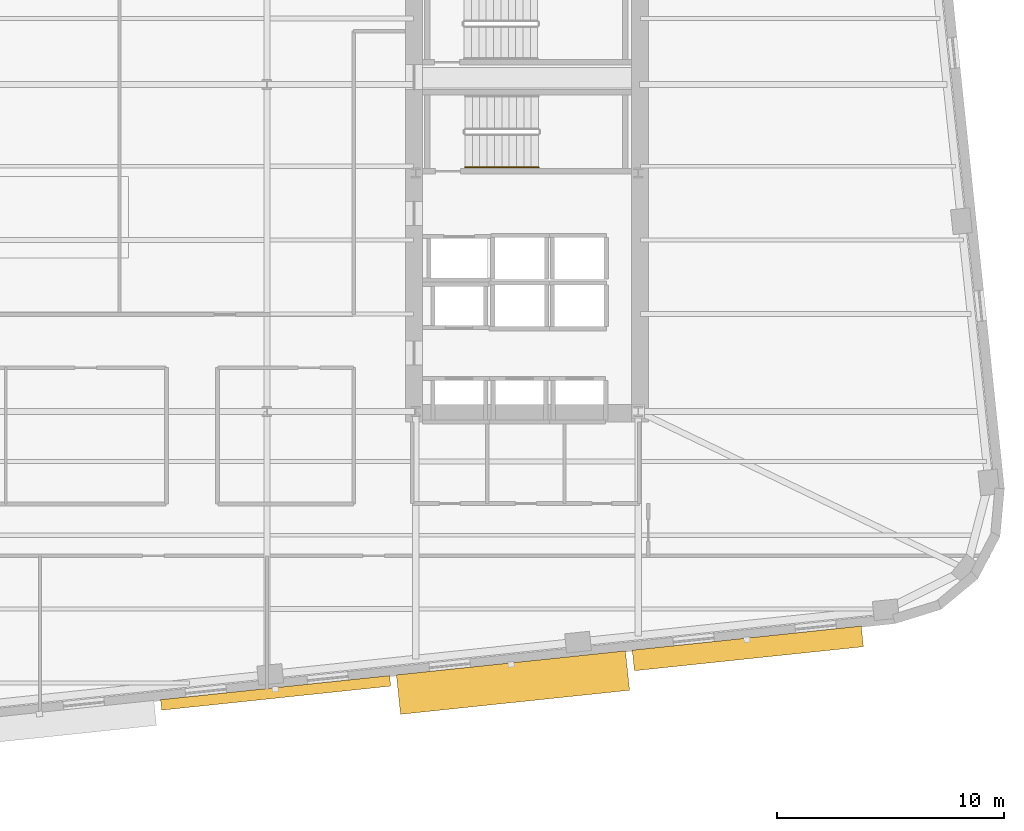
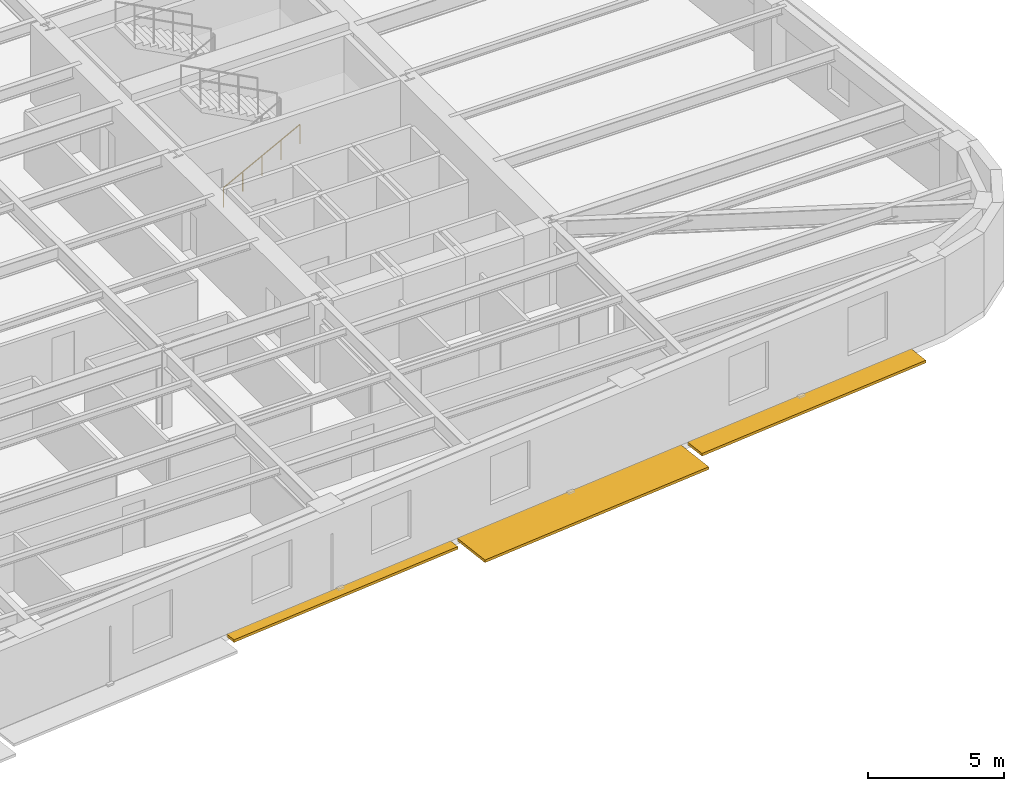
# One storey, part 9 of 12: 3 shading devices, 1 railing.
"""IFC4 building model written with IfcOpenShell, lengths in metres."""

from ifc_helpers import new_model, si_unit, direction, frame, origin, origin_2d, place, context, subcontext, project, spatial, rectangle, circle, extrude, material, type_object, element, save


model = new_model("IFC4")

# Units and contexts
model_context = context("Model", 3, precision=1e-05, world=origin(), true_north=direction((0.0, 1.0)))
body_context = subcontext(model_context, "Body", "Model", "MODEL_VIEW")
ifc_project = project(units=[si_unit("LENGTHUNIT", "METRE"), si_unit("AREAUNIT", "SQUARE_METRE"), si_unit("VOLUMEUNIT", "CUBIC_METRE"), si_unit("PLANEANGLEUNIT", "RADIAN"), si_unit("MASSUNIT", "GRAM", prefix="KILO")], contexts=[model_context])

# Site, building, storey
site_placement = place(None, origin())
site = spatial("IfcSite", under=ifc_project, at=site_placement, CompositionType="ELEMENT")
building_placement = place(site_placement, origin())
building = spatial("IfcBuilding", under=site, at=building_placement, Name="Kolvaren Arena Tower", CompositionType="ELEMENT")
storey_placement = place(building_placement, frame((0.0, 0.0, 110.949951171875)))
storey = spatial("IfcBuildingStorey", under=building, at=storey_placement, Name="L25", CompositionType="ELEMENT", Elevation=110.949951171875)

# Railing
ifc_material_1 = material(Name="Brushed stainless steel handrail", Category="steel")
railing_type = type_object("IfcRailingType", Name="HRAIL-900", PredefinedType="HANDRAIL", material=ifc_material_1)
railing_placement = place(storey_placement, frame((52.719970703125, 30.199951171875, 0.17041015625)))
element("IfcRailing", 1, at=railing_placement, inside=storey, type_object=railing_type, Name="L25 ST-E1 stair handrail 1", PredefinedType="HANDRAIL", context=body_context, shape_type="SweptSolid", body=[
    extrude(circle(Radius=0.02392578125, at=origin_2d()), frame((0.0, 0.0, 0.8759765625), z_axis=(0.884993431791, 0.0, 0.465603506952), x_axis=(0.0, 1.0, 0.0)), (0.0, 0.0, 1.0), 3.6611328125),
    extrude(circle(Radius=0.02099609375, at=origin_2d()), origin(), (0.0, 0.0, 1.0), 0.851806640625),
    extrude(circle(Radius=0.02099609375, at=origin_2d()), frame((0.81005859375, 0.0, 0.42626953125)), (0.0, 0.0, 1.0), 0.851806640625),
    extrude(circle(Radius=0.02099609375, at=origin_2d()), frame((1.6201171875, 0.0, 0.852294921875)), (0.0, 0.0, 1.0), 0.851806640625),
    extrude(circle(Radius=0.02099609375, at=origin_2d()), frame((2.429931640625, 0.0, 1.2783203125)), (0.0, 0.0, 1.0), 0.851806640625),
    extrude(circle(Radius=0.02099609375, at=origin_2d()), frame((3.239990234375, 0.0, 1.70458984375)), (0.0, 0.0, 1.0), 0.851806640625),
])

# Shading devices
ifc_material_2 = material(Name="Architectural precast GFRC and anodised aluminium sunshade", Category="concrete")
shading_device_type_1 = type_object("IfcShadingDeviceType", Name="SHAD-SINE-A", PredefinedType="USERDEFINED", material=ifc_material_2)
shading_device_1_placement = place(storey_placement, frame((65.171875, 9.02001953125, -0.139892578125), z_axis=(0.0, 0.0, 1.0), x_axis=(-0.994522077803, -0.104526727499, 0.0)))
element("IfcShadingDevice", 2, at=shading_device_1_placement, inside=storey, type_object=shading_device_type_1, Name="Sinusoidal Slab-Edge Sunshade Louvre (L25)", ObjectType="LOUVRE", PredefinedType="USERDEFINED", context=body_context, shape_type="SweptSolid", body=[
    extrude(rectangle(XDim=10.139892578125, YDim=0.9140625, at=origin_2d()), origin(), (0.0, 0.0, 1.0), 0.1201171875),
])
shading_device_2_placement = place(storey_placement, frame((44.3828125, 7.06103515625, -0.139892578125), z_axis=(0.0, 0.0, 1.0), x_axis=(-0.994522077803, -0.104526727499, 0.0)))
element("IfcShadingDevice", 3, at=shading_device_2_placement, inside=storey, type_object=shading_device_type_1, Name="Sinusoidal Slab-Edge Sunshade Louvre (L25)", ObjectType="LOUVRE", PredefinedType="USERDEFINED", context=body_context, shape_type="SweptSolid", body=[
    extrude(rectangle(XDim=10.139892578125, YDim=0.46435546875, at=origin_2d()), origin(), (0.0, 0.0, 1.0), 0.1201171875),
])
shading_device_type_2 = type_object("IfcShadingDeviceType", Name="SHAD-SINE-B", PredefinedType="JALOUSIE", material=ifc_material_2)
shading_device_3_placement = place(storey_placement, frame((54.83251953125, 7.51513671875, -0.139892578125), z_axis=(0.0, 0.0, 1.0), x_axis=(-0.994522077803, -0.104526727499, 0.0)))
element("IfcShadingDevice", 4, at=shading_device_3_placement, inside=storey, type_object=shading_device_type_2, Name="Sinusoidal Slab-Edge Sunshade Louvre (L25)", PredefinedType="JALOUSIE", context=body_context, shape_type="SweptSolid", body=[
    extrude(rectangle(XDim=10.139892578125, YDim=1.745849609375, at=origin_2d()), origin(), (0.0, 0.0, 1.0), 0.1201171875),
])

save(model, "model.ifc")
